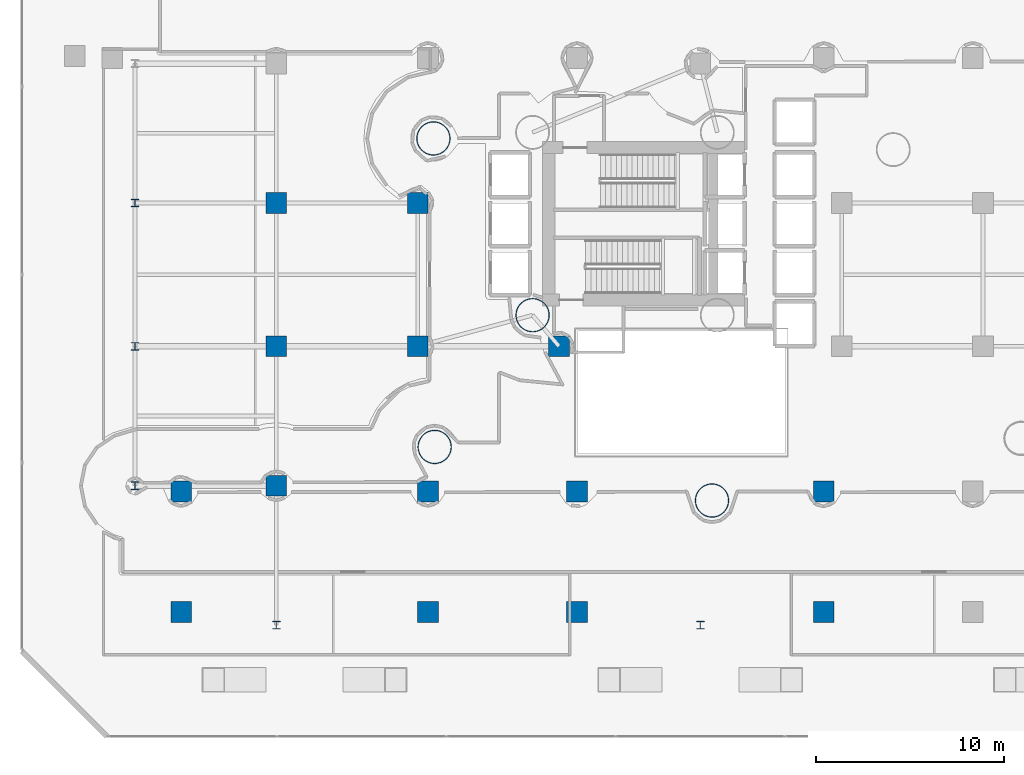
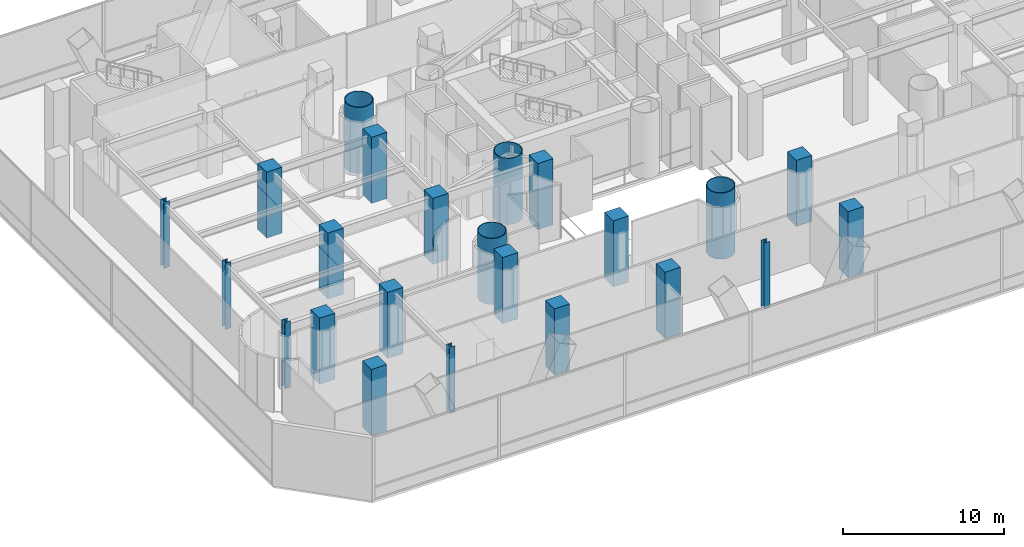
# One storey, part 1 of 42: 23 columns.
"""IFC4 building model written with IfcOpenShell, lengths in metres."""

from ifc_helpers import new_model, si_unit, direction, frame, origin, origin_2d, place, context, subcontext, project, spatial, rectangle, hollow_circle, i_section, extrude, material, material_profile, profile_set, type_object, element, save


model = new_model("IFC4")

# Units and contexts
model_context = context("Model", 3, precision=1e-05, world=origin(), true_north=direction((0.0, 1.0)))
body_context = subcontext(model_context, "Body", "Model", "MODEL_VIEW")
ifc_project = project(units=[si_unit("LENGTHUNIT", "METRE"), si_unit("AREAUNIT", "SQUARE_METRE"), si_unit("VOLUMEUNIT", "CUBIC_METRE"), si_unit("PLANEANGLEUNIT", "RADIAN"), si_unit("MASSUNIT", "GRAM", prefix="KILO")], contexts=[model_context])

# Site, building, storey
site_placement = place(None, origin())
site = spatial("IfcSite", under=ifc_project, at=site_placement, CompositionType="ELEMENT")
building_placement = place(site_placement, origin())
building = spatial("IfcBuilding", under=site, at=building_placement, Name="Qianvela Tower", CompositionType="ELEMENT")
storey_placement = place(building_placement, frame((0.0, 0.0, 6.0)))
storey = spatial("IfcBuildingStorey", under=building, at=storey_placement, Name="L01", CompositionType="ELEMENT", Elevation=6.0)

# Columns
ifc_material_1 = material(Name="Steel Q420GJC", Category="steel")
ifc_material_profile_1 = material_profile(ifc_material_1, hollow_circle(Radius=0.89990234375, WallThickness=0.044921875, at=origin_2d()), Name="CFT-1800x45")
ifc_profile_set_1 = profile_set([ifc_material_profile_1], Name="Steel Q420GJC")
column_type_1 = type_object("IfcColumnType", Name="COL-CFT-1800x45", PredefinedType="COLUMN", material=ifc_profile_set_1)
for number, where, z_axis, x_axis, name in (
    (1, (28.60009765625, 23.85009765625, 0.0), (0.0, 0.0, 1.0), (1.0, 0.0, 0.0), "L01 Core Corner Mega-Column CC-SW"),
    (2, (23.337890625, 33.22802734375, 0.0), (0.0, 0.0, 1.0), (1.0, 0.0, 0.0), "L01 Tower Base CFT Mega-Column C4"),
    (3, (23.404052734375, 16.860107421875, 0.0), (0.0, 0.0, 1.0), (1.0, 0.0, 0.0), "L01 Tower Base CFT Mega-Column C5"),
    (4, (38.1201171875, 14.01611328125, 0.0), (0.0, 0.0, 1.0), (1.0, 0.0, 0.0), "L01 Tower Base CFT Mega-Column C6"),
):
    element("IfcColumn", number, at=place(storey_placement, frame(where, z_axis=z_axis, x_axis=x_axis)), inside=storey, type_object=column_type_1, Name=name, PredefinedType="COLUMN", context=body_context, shape_type="SweptSolid", body=[
        extrude(hollow_circle(Radius=0.89990234375, WallThickness=0.044921875, at=origin_2d()), origin(), (0.0, 0.0, 1.0), 5.0),
    ])
ifc_material_2 = material(Name="Steel Q355B", Category="steel")
ifc_material_profile_2 = material_profile(ifc_material_2, i_section(OverallWidth=0.39990234375, OverallDepth=0.39990234375, WebThickness=0.012939453125, FlangeThickness=0.02099609375, at=origin_2d()), Name="HW400x400x13x21")
ifc_profile_set_2 = profile_set([ifc_material_profile_2], Name="Steel Q355B")
column_type_2 = type_object("IfcColumnType", Name="COL-HW-400", PredefinedType="COLUMN", material=ifc_profile_set_2)
for number, where, z_axis, x_axis, name in (
    (5, (7.5, 14.800048828125, 0.0), (0.0, 0.0, 1.0), (1.0, 0.0, 0.0), "L01 Podium Grid Column P01"),
    (6, (7.5, 22.199951171875, 0.0), (0.0, 0.0, 1.0), (1.0, 0.0, 0.0), "L01 Podium Grid Column P02"),
    (7, (7.5, 29.800048828125, 0.0), (0.0, 0.0, 1.0), (1.0, 0.0, 0.0), "L01 Podium Grid Column P03"),
    (8, (15.0, 7.39990234375, 0.0), (0.0, 0.0, 1.0), (1.0, 0.0, 0.0), "L01 Podium Grid Column P05"),
    (9, (37.5, 7.39990234375, 0.0), (0.0, 0.0, 1.0), (1.0, 0.0, 0.0), "L01 Podium Grid Column P22"),
):
    element("IfcColumn", number, at=place(storey_placement, frame(where, z_axis=z_axis, x_axis=x_axis)), inside=storey, type_object=column_type_2, Name=name, PredefinedType="COLUMN", context=body_context, shape_type="SweptSolid", body=[
        extrude(i_section(OverallWidth=0.39990234375, OverallDepth=0.39990234375, WebThickness=0.012939453125, FlangeThickness=0.02099609375, at=origin_2d()), origin(), (0.0, 0.0, 1.0), 5.0),
    ])
ifc_material_3 = material(Name="Concrete C60", Category="concrete")
ifc_material_profile_3 = material_profile(ifc_material_3, rectangle(XDim=1.10009765625, YDim=1.10009765625, at=origin_2d()), Name="RC-COL-1100x1100")
ifc_profile_set_3 = profile_set([ifc_material_profile_3], Name="Concrete C60")
column_type_3 = type_object("IfcColumnType", Name="COL-RC-1100", PredefinedType="COLUMN", material=ifc_profile_set_3)
for number, where, z_axis, x_axis, name in (
    (10, (9.955322265625, 8.10009765625, 0.0), (0.0, 0.0, 1.0), (1.0, 0.0, 0.0), "L01 Concourse Colonnade Column VC-S1-L-B1"),
    (11, (9.955322265625, 14.5, 0.0), (0.0, 0.0, 1.0), (1.0, 0.0, 0.0), "L01 Concourse Colonnade Column VC-S1-L-B2"),
    (12, (23.044677734375, 8.10009765625, 0.0), (0.0, 0.0, 1.0), (1.0, 0.0, 0.0), "L01 Concourse Colonnade Column VC-S1-R-B1"),
    (13, (23.044677734375, 14.5, 0.0), (0.0, 0.0, 1.0), (1.0, 0.0, 0.0), "L01 Concourse Colonnade Column VC-S1-R-B2"),
    (14, (30.955322265625, 8.10009765625, 0.0), (0.0, 0.0, 1.0), (1.0, 0.0, 0.0), "L01 Concourse Colonnade Column VC-S2-L-B1"),
    (15, (30.955322265625, 14.5, 0.0), (0.0, 0.0, 1.0), (1.0, 0.0, 0.0), "L01 Concourse Colonnade Column VC-S2-L-B2"),
    (16, (44.044677734375, 8.10009765625, 0.0), (0.0, 0.0, 1.0), (1.0, 0.0, 0.0), "L01 Concourse Colonnade Column VC-S2-R-B1"),
    (17, (44.044677734375, 14.5, 0.0), (0.0, 0.0, 1.0), (1.0, 0.0, 0.0), "L01 Concourse Colonnade Column VC-S2-R-B2"),
    (18, (15.0, 14.800048828125, 0.0), (0.0, 0.0, 1.0), (1.0, 0.0, 0.0), "L01 Podium Grid Column P06"),
    (19, (15.0, 22.199951171875, 0.0), (0.0, 0.0, 1.0), (1.0, 0.0, 0.0), "L01 Podium Grid Column P07"),
    (20, (15.0, 29.800048828125, 0.0), (0.0, 0.0, 1.0), (1.0, 0.0, 0.0), "L01 Podium Grid Column P08"),
    (21, (22.5, 22.199951171875, 0.0), (0.0, 0.0, 1.0), (1.0, 0.0, 0.0), "L01 Podium Grid Column P13"),
    (22, (22.5, 29.800048828125, 0.0), (0.0, 0.0, 1.0), (1.0, 0.0, 0.0), "L01 Podium Grid Column P14"),
    (23, (30.0, 22.199951171875, 0.0), (0.0, 0.0, 1.0), (1.0, 0.0, 0.0), "L01 Podium Grid Column P19"),
):
    element("IfcColumn", number, at=place(storey_placement, frame(where, z_axis=z_axis, x_axis=x_axis)), inside=storey, type_object=column_type_3, Name=name, PredefinedType="COLUMN", context=body_context, shape_type="SweptSolid", body=[
        extrude(rectangle(XDim=1.10009765625, YDim=1.10009765625, at=origin_2d()), origin(), (0.0, 0.0, 1.0), 5.0),
    ])

save(model, "model.ifc")
